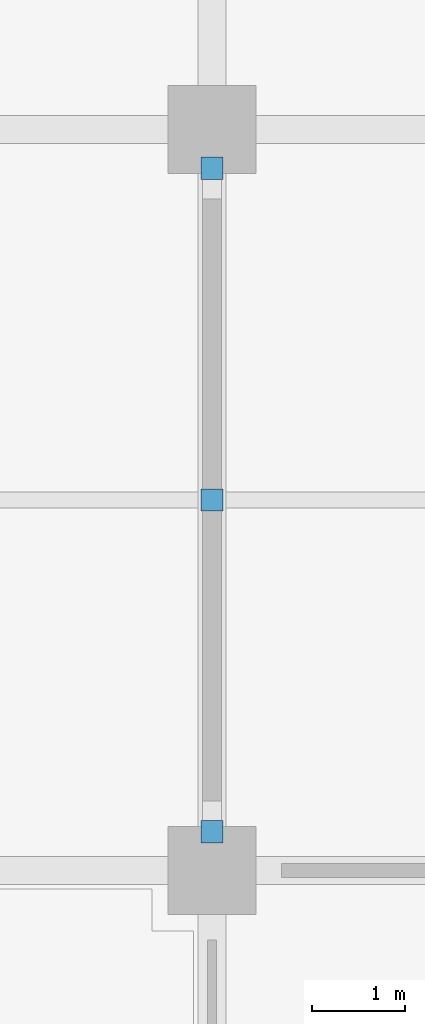
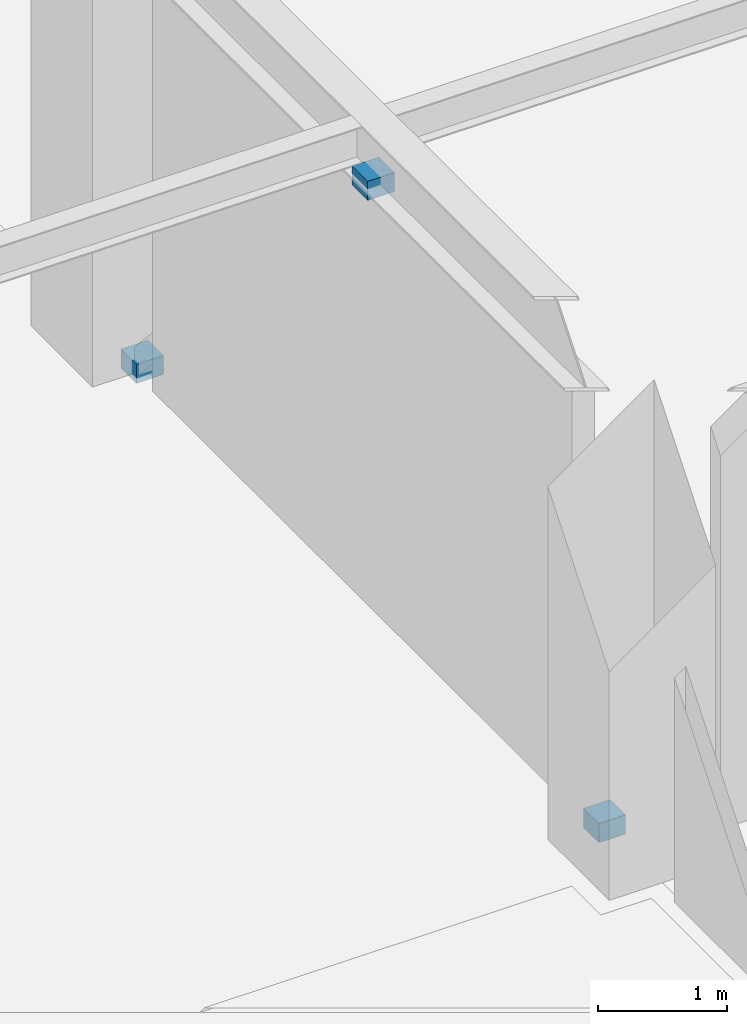
# One storey, part 86 of 109: 3 discrete accessories.
"""IFC4 building model written with IfcOpenShell, lengths in metres."""

from ifc_helpers import new_model, si_unit, direction, frame, origin, origin_2d, place, context, subcontext, project, spatial, rectangle, extrude, material, layer, layer_set, type_object, element, save


model = new_model("IFC4")

# Units and contexts
model_context = context("Model", 3, precision=1e-05, world=origin(), true_north=direction((0.0, 1.0)))
body_context = subcontext(model_context, "Body", "Model", "MODEL_VIEW")
ifc_project = project(units=[si_unit("LENGTHUNIT", "METRE"), si_unit("AREAUNIT", "SQUARE_METRE"), si_unit("VOLUMEUNIT", "CUBIC_METRE"), si_unit("PLANEANGLEUNIT", "RADIAN"), si_unit("MASSUNIT", "GRAM", prefix="KILO")], contexts=[model_context])

# Site, building, storey
site_placement = place(None, origin())
site = spatial("IfcSite", under=ifc_project, at=site_placement, CompositionType="ELEMENT")
building_placement = place(site_placement, origin())
building = spatial("IfcBuilding", under=site, at=building_placement, Name="Haebicheon Civic Stadium", CompositionType="ELEMENT")
storey_placement = place(building_placement, frame((0.0, 0.0, 9.60009765625)))
storey = spatial("IfcBuildingStorey", under=building, at=storey_placement, Name="L03", CompositionType="ELEMENT", Elevation=9.60009765625)

# Discrete accessories
ifc_material = material(Name="White painted steel SM490", Category="steel")
ifc_layer = layer(ifc_material, 0.179931640625, Name="White painted steel SM490")
ifc_layer_set = layer_set([ifc_layer], Name="White painted steel SM490")
discrete_accessory_type = type_object("IfcDiscreteAccessoryType", Name="BRK-END-PLT", PredefinedType="BRACKET", material=ifc_layer_set)
for number, where, z_axis, x_axis, name in (
    (1, (160.0, 48.419921875, -0.05029296875), (0.0, 0.0, 1.0), (1.0, 0.0, 0.0), "Brace L03-19-06 bolted end connection plate"),
    (2, (160.0, 55.580078125, -0.05029296875), (0.0, 0.0, 1.0), (1.0, 0.0, 0.0), "Brace L03-19-06 bolted end connection plate"),
    (3, (160.0, 52.0, 3.85009765625), (0.0, 0.0, 1.0), (1.0, 0.0, 0.0), "Brace L03-19-06 bolted end connection plate"),
):
    element("IfcDiscreteAccessory", number, at=place(storey_placement, frame(where, z_axis=z_axis, x_axis=x_axis)), inside=storey, type_object=discrete_accessory_type, material=ifc_layer_set, Name=name, PredefinedType="BRACKET", context=body_context, shape_type="SweptSolid", body=[
        extrude(rectangle(XDim=0.239990234375, YDim=0.239990234375, at=origin_2d()), origin(), (0.0, 0.0, 1.0), 0.179931640625),
    ])

save(model, "model.ifc")
